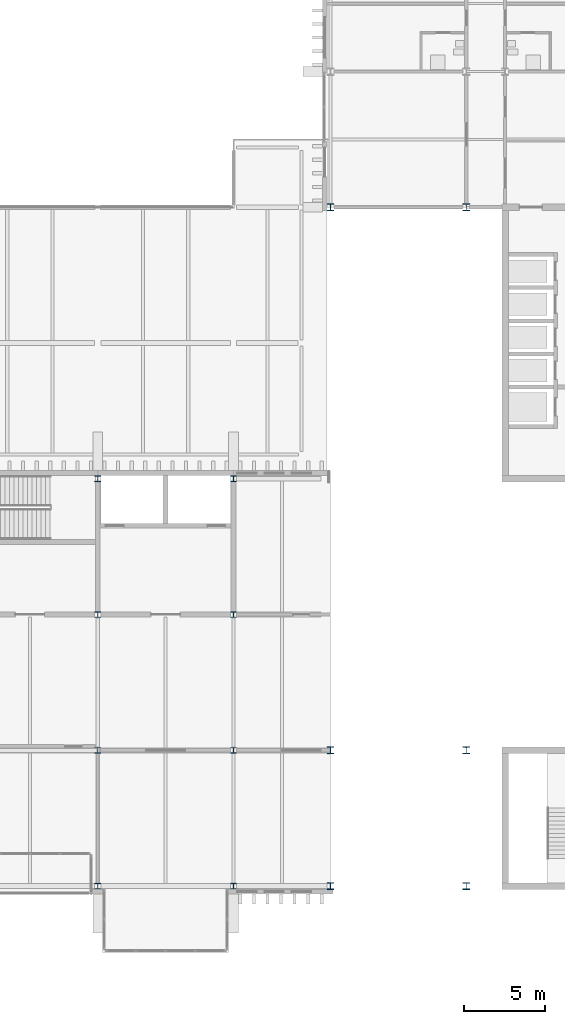
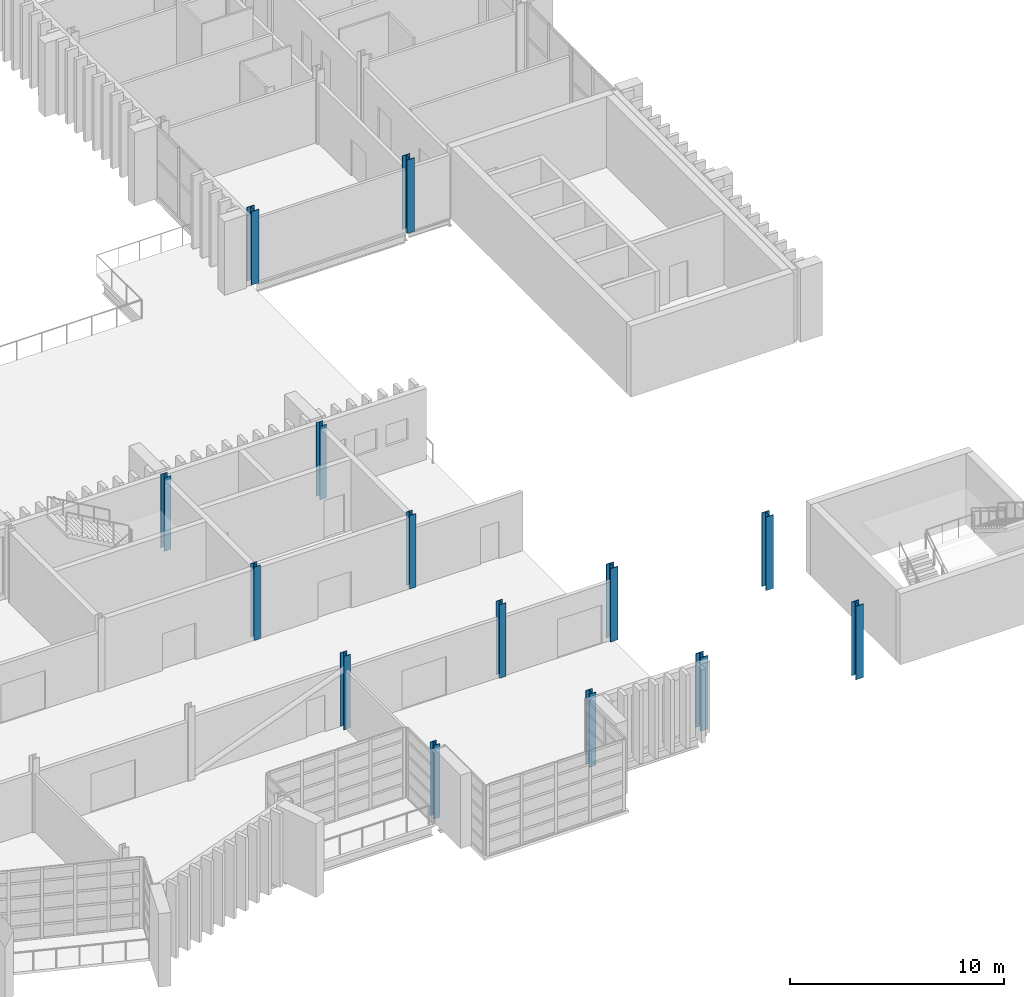
# One storey, part 11 of 96: 14 columns.
"""IFC4 building model written with IfcOpenShell, lengths in metres."""

from ifc_helpers import new_model, si_unit, direction, frame, origin, origin_2d, place, context, subcontext, project, spatial, i_section, extrude, material, material_profile, profile_set, type_object, element, save


model = new_model("IFC4")

# Units and contexts
model_context = context("Model", 3, precision=1e-05, world=origin(), true_north=direction((0.0, 1.0)))
body_context = subcontext(model_context, "Body", "Model", "MODEL_VIEW")
ifc_project = project(units=[si_unit("LENGTHUNIT", "METRE"), si_unit("AREAUNIT", "SQUARE_METRE"), si_unit("VOLUMEUNIT", "CUBIC_METRE"), si_unit("PLANEANGLEUNIT", "RADIAN"), si_unit("MASSUNIT", "GRAM", prefix="KILO")], contexts=[model_context])

# Site, building, storey
site_placement = place(None, origin())
site = spatial("IfcSite", under=ifc_project, at=site_placement, CompositionType="ELEMENT")
building_placement = place(site_placement, origin())
building = spatial("IfcBuilding", under=site, at=building_placement, Name="Cresset Court Congress Hotel", CompositionType="ELEMENT")
storey_placement = place(building_placement, frame((0.0, 0.0, 6.0)))
storey = spatial("IfcBuildingStorey", under=building, at=storey_placement, Name="L01", CompositionType="ELEMENT", Elevation=6.0)

# Columns
ifc_material_1 = material(Name="Structural steel Q355B", Category="steel")
ifc_material_profile_1 = material_profile(ifc_material_1, i_section(OverallWidth=0.35009765625, OverallDepth=0.35009765625, WebThickness=0.011962890625, FlangeThickness=0.01904296875, FilletRadius=0.012939453125, at=origin_2d()), Name="HW350x350x12x19")
ifc_profile_set_1 = profile_set([ifc_material_profile_1], Name="Structural steel Q355B")
column_type_1 = type_object("IfcColumnType", Name="Steel column HW350x350x12x19", PredefinedType="COLUMN", material=ifc_profile_set_1)
for number, where, z_axis, x_axis, name in (
    (1, (142.800048828125, 0.0, 0.0), (0.0, 0.0, 1.0), (1.0, 0.0, 0.0), "B.col.L01.18A"),
    (2, (142.800048828125, 8.39990234375, 0.0), (0.0, 0.0, 1.0), (1.0, 0.0, 0.0), "B.col.L01.18B"),
    (3, (142.800048828125, 16.800048828125, 0.0), (0.0, 0.0, 1.0), (1.0, 0.0, 0.0), "B.col.L01.18C"),
    (4, (142.800048828125, 25.199951171875, 0.0), (0.0, 0.0, 1.0), (1.0, 0.0, 0.0), "B.col.L01.18D"),
    (5, (151.199951171875, 0.0, 0.0), (0.0, 0.0, 1.0), (1.0, 0.0, 0.0), "B.col.L01.19A"),
    (6, (151.199951171875, 8.39990234375, 0.0), (0.0, 0.0, 1.0), (1.0, 0.0, 0.0), "B.col.L01.19B"),
    (7, (151.199951171875, 16.800048828125, 0.0), (0.0, 0.0, 1.0), (1.0, 0.0, 0.0), "B.col.L01.19C"),
    (8, (151.199951171875, 25.199951171875, 0.0), (0.0, 0.0, 1.0), (1.0, 0.0, 0.0), "B.col.L01.19D"),
):
    element("IfcColumn", number, at=place(storey_placement, frame(where, z_axis=z_axis, x_axis=x_axis)), inside=storey, type_object=column_type_1, Name=name, PredefinedType="COLUMN", context=body_context, shape_type="SweptSolid", body=[
        extrude(i_section(OverallWidth=0.35009765625, OverallDepth=0.35009765625, WebThickness=0.011962890625, FlangeThickness=0.01904296875, FilletRadius=0.012939453125, at=origin_2d()), origin(), (0.0, 0.0, 1.0), 4.199951171875),
    ])
ifc_material_2 = material(Name="Structural steel Q355B", Category="steel")
ifc_material_profile_2 = material_profile(ifc_material_2, i_section(OverallWidth=0.406982421875, OverallDepth=0.427978515625, WebThickness=0.02001953125, FlangeThickness=0.034912109375, FilletRadius=0.02197265625, at=origin_2d()), Name="HW428x407x20x35")
ifc_profile_set_2 = profile_set([ifc_material_profile_2], Name="Structural steel Q355B")
column_type_2 = type_object("IfcColumnType", Name="Steel column HW428x407x20x35", PredefinedType="COLUMN", material=ifc_profile_set_2)
for number, where, z_axis, x_axis, name in (
    (9, (157.199951171875, 0.0, 0.0), (0.0, 0.0, 1.0), (1.0, 0.0, 0.0), "Column L01 1-20"),
    (10, (157.199951171875, 8.39990234375, 0.0), (0.0, 0.0, 1.0), (1.0, 0.0, 0.0), "Column L01 2-20"),
    (11, (157.199951171875, 42.0, 0.0), (0.0, 0.0, 1.0), (1.0, 0.0, 0.0), "Column L01 6-20"),
    (12, (165.60009765625, 0.0, 0.0), (0.0, 0.0, 1.0), (1.0, 0.0, 0.0), "Column L01 1-21"),
    (13, (165.60009765625, 8.39990234375, 0.0), (0.0, 0.0, 1.0), (1.0, 0.0, 0.0), "Column L01 2-21"),
    (14, (165.60009765625, 42.0, 0.0), (0.0, 0.0, 1.0), (1.0, 0.0, 0.0), "Column L01 6-21"),
):
    element("IfcColumn", number, at=place(storey_placement, frame(where, z_axis=z_axis, x_axis=x_axis)), inside=storey, type_object=column_type_2, Name=name, PredefinedType="COLUMN", context=body_context, shape_type="SweptSolid", body=[
        extrude(i_section(OverallWidth=0.406982421875, OverallDepth=0.427978515625, WebThickness=0.02001953125, FlangeThickness=0.034912109375, FilletRadius=0.02197265625, at=origin_2d()), origin(), (0.0, 0.0, 1.0), 4.199951171875),
    ])

save(model, "model.ifc")
